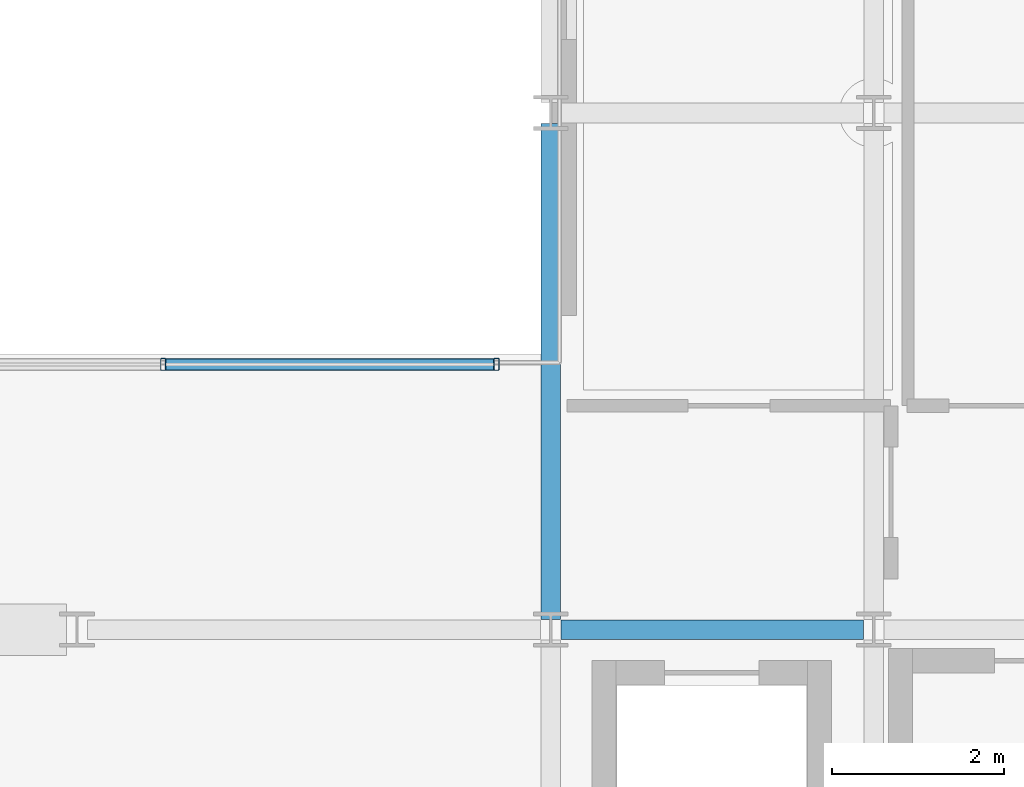
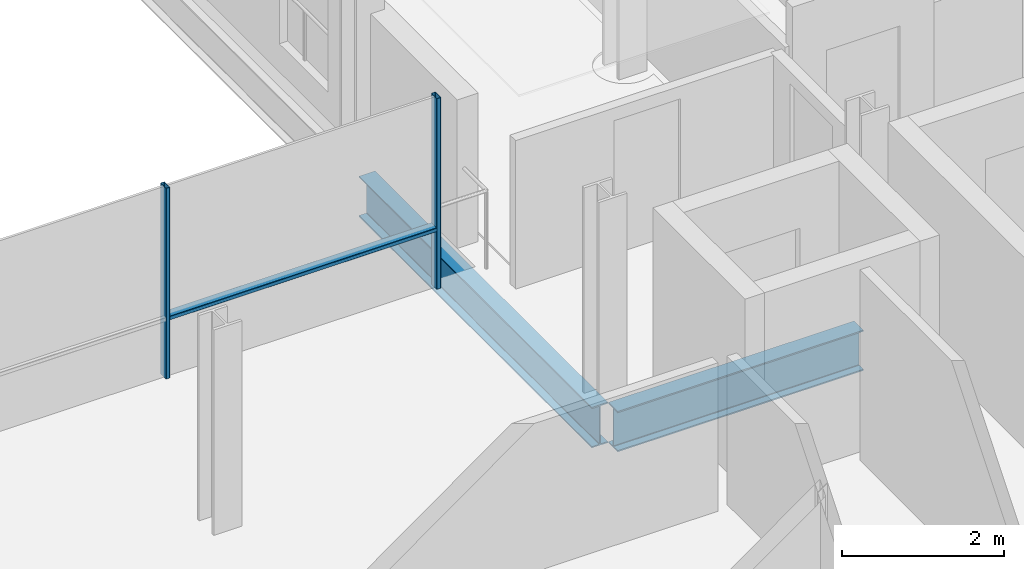
# One storey, part 15 of 41: 3 members, 2 beams, 1 element without a shape of its own.
"""IFC4 building model written with IfcOpenShell, lengths in metres."""

from ifc_helpers import new_model, si_unit, direction, frame, origin, origin_2d, place, context, subcontext, project, spatial, hollow_rectangle, i_section, extrude, material, layer, layer_set, material_profile, profile_set, type_object, element, aggregate, save


model = new_model("IFC4")

# Units and contexts
model_context = context("Model", 3, precision=1e-05, world=origin(), true_north=direction((0.0, 1.0)))
body_context = subcontext(model_context, "Body", "Model", "MODEL_VIEW")
ifc_project = project(units=[si_unit("LENGTHUNIT", "METRE"), si_unit("AREAUNIT", "SQUARE_METRE"), si_unit("VOLUMEUNIT", "CUBIC_METRE"), si_unit("PLANEANGLEUNIT", "RADIAN"), si_unit("MASSUNIT", "GRAM", prefix="KILO")], contexts=[model_context])

# Site, building, storey
site_placement = place(None, origin())
site = spatial("IfcSite", under=ifc_project, at=site_placement, CompositionType="ELEMENT")
building_placement = place(site_placement, origin())
building = spatial("IfcBuilding", under=site, at=building_placement, Name="Brevholm Reach", CompositionType="ELEMENT")
storey_placement = place(building_placement, frame((0.0, 0.0, 151.10009765625)))
storey = spatial("IfcBuildingStorey", under=building, at=storey_placement, Name="L45", CompositionType="ELEMENT", Elevation=151.10009765625)

# Beams
ifc_material_1 = material(Name="Structural Steel S355J2", Category="steel")
ifc_material_profile_1 = material_profile(ifc_material_1, i_section(OverallWidth=0.22900390625, OverallDepth=0.6123046875, WebThickness=0.011962890625, FlangeThickness=0.01953125, FilletRadius=0.0126953125, at=origin_2d()), Name="UKB 610x229x125")
ifc_profile_set_1 = profile_set([ifc_material_profile_1], Name="Structural Steel S355J2")
beam_type = type_object("IfcBeamType", Name="BM-SP610", PredefinedType="SPANDREL", material=ifc_profile_set_1)
beam_1_placement = place(storey_placement, frame((38.3701171875, 10.0, -0.526123046875), z_axis=(1.0, 0.0, 0.0), x_axis=(0.0, 1.0, 0.0)))
element("IfcBeam", 1, at=beam_1_placement, inside=storey, type_object=beam_type, Name="L45 SP-01 Framing Beam", PredefinedType="SPANDREL", context=body_context, shape_type="SweptSolid", body=[
    extrude(i_section(OverallWidth=0.22900390625, OverallDepth=0.6123046875, WebThickness=0.011962890625, FlangeThickness=0.01953125, FilletRadius=0.0126953125, at=origin_2d()), origin(), (0.0, 0.0, 1.0), 3.509765625),
])
beam_2_placement = place(storey_placement, frame((38.25, 10.1201171875, -0.526123046875), z_axis=(0.0, 1.0, 0.0), x_axis=(-1.0, 0.0, 0.0)))
element("IfcBeam", 2, at=beam_2_placement, inside=storey, type_object=beam_type, Name="L45 SP-01 Framing Beam", PredefinedType="SPANDREL", context=body_context, shape_type="SweptSolid", body=[
    extrude(i_section(OverallWidth=0.22900390625, OverallDepth=0.6123046875, WebThickness=0.011962890625, FlangeThickness=0.01953125, FilletRadius=0.0126953125, at=origin_2d()), origin(), (0.0, 0.0, 1.0), 5.759765625),
])

# Curtain wall, members
ifc_material_2 = material(Name="Dark Anodised Aluminium 6063-T6 and Solar-Control Glass", Category="aluminium")
ifc_layer = layer(ifc_material_2, 0.139892578125)
ifc_layer_set = layer_set([ifc_layer], Name="Dark Anodised Aluminium 6063-T6 and Solar-Control Glass")
curtain_wall_type = type_object("IfcCurtainWallType", Name="CW-02", PredefinedType="NOTDEFINED", material=ifc_layer_set)
curtain_wall_placement = place(storey_placement, origin())
curtain_wall = element("IfcCurtainWall", 3, at=curtain_wall_placement, inside=storey, type_object=curtain_wall_type, Name="L45 Curtain Wall CW-02", PredefinedType="NOTDEFINED")
ifc_material_3 = material(Name="Dark Anodised Aluminium 6063-T6", Category="aluminium")
ifc_material_profile_2 = material_profile(ifc_material_3, hollow_rectangle(XDim=0.06005859375, YDim=0.139892578125, WallThickness=0.0048828125, InnerFilletRadius=0.0048828125, OuterFilletRadius=0.010009765625, at=origin_2d()), Name="RHS 140x60x5")
ifc_profile_set_2 = profile_set([ifc_material_profile_2], Name="Dark Anodised Aluminium 6063-T6")
member_type_1 = type_object("IfcMemberType", Name="CWM-140", PredefinedType="MULLION", material=ifc_profile_set_2)
member_1_placement = place(storey_placement, frame((33.75, 13.080078125, 0.0), z_axis=(0.0, 0.0, 1.0), x_axis=(1.0, 0.0, 0.0)))
member_1 = element("IfcMember", 4, at=member_1_placement, type_object=member_type_1, Name="CM-140 Mullion 4", PredefinedType="MULLION", context=body_context, shape_type="SweptSolid", body=[
    extrude(hollow_rectangle(XDim=0.06005859375, YDim=0.139892578125, WallThickness=0.0048828125, InnerFilletRadius=0.0048828125, OuterFilletRadius=0.010009765625, at=origin_2d()), origin(), (0.0, 0.0, 1.0), 2.8798828125),
])
member_2_placement = place(storey_placement, frame((37.6201171875, 13.080078125, 0.0), z_axis=(0.0, 0.0, 1.0), x_axis=(1.0, 0.0, 0.0)))
member_2 = element("IfcMember", 5, at=member_2_placement, type_object=member_type_1, Name="CM-140 Mullion 5", PredefinedType="MULLION", context=body_context, shape_type="SweptSolid", body=[
    extrude(hollow_rectangle(XDim=0.06005859375, YDim=0.139892578125, WallThickness=0.0048828125, InnerFilletRadius=0.0048828125, OuterFilletRadius=0.010009765625, at=origin_2d()), origin(), (0.0, 0.0, 1.0), 2.8798828125),
])
ifc_material_4 = material(Name="Dark Anodised Aluminium 6063-T6", Category="aluminium")
ifc_material_profile_3 = material_profile(ifc_material_4, hollow_rectangle(XDim=0.06005859375, YDim=0.139892578125, WallThickness=0.0048828125, InnerFilletRadius=0.0048828125, OuterFilletRadius=0.010009765625, at=origin_2d()), Name="RHS 140x60x5")
ifc_profile_set_3 = profile_set([ifc_material_profile_3], Name="Dark Anodised Aluminium 6063-T6")
member_type_2 = type_object("IfcMemberType", Name="CWT-140", PredefinedType="NOTDEFINED", material=ifc_profile_set_3)
member_3_placement = place(storey_placement, frame((33.780029296875, 13.080078125, 0.89990234375), z_axis=(1.0, 0.0, 0.0), x_axis=(0.0, 0.0, 1.0)))
member_3 = element("IfcMember", 6, at=member_3_placement, type_object=member_type_2, Name="CT-140 Transom 4.1", ObjectType="TRANSOM", PredefinedType="USERDEFINED", context=body_context, shape_type="SweptSolid", body=[
    extrude(hollow_rectangle(XDim=0.06005859375, YDim=0.139892578125, WallThickness=0.0048828125, InnerFilletRadius=0.0048828125, OuterFilletRadius=0.010009765625, at=origin_2d()), origin(), (0.0, 0.0, 1.0), 3.81005859375),
])
aggregate(curtain_wall, [member_1, member_2, member_3])

save(model, "model.ifc")
